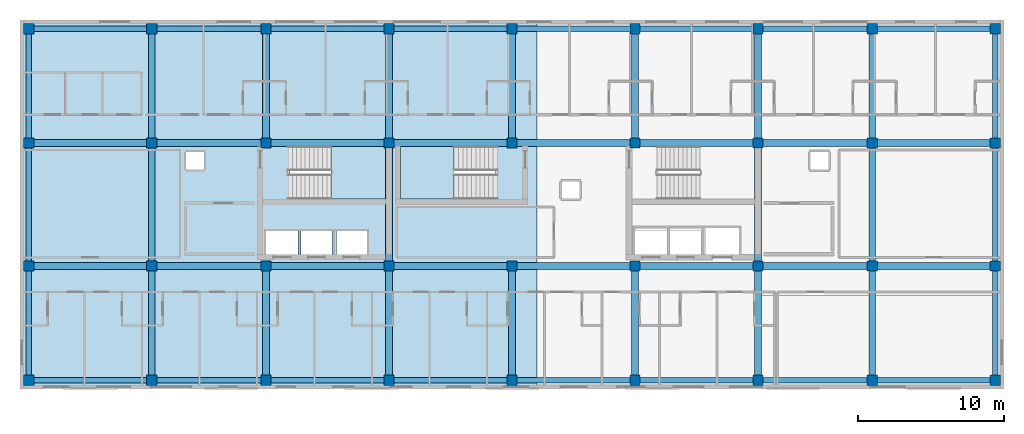
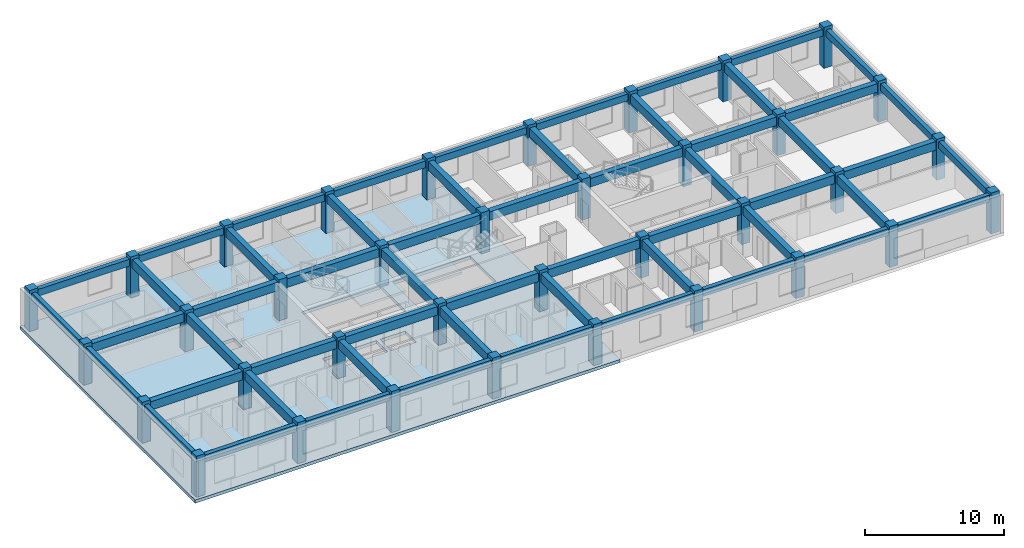
# One storey, part 1 of 10: 56 beams, 36 columns, 3 slabs, 2 elements without a shape of their own.
"""IFC4 building model written with IfcOpenShell, lengths in metres."""

from ifc_helpers import new_model, si_unit, direction, frame, origin, origin_2d, place, context, subcontext, project, spatial, polyline, rectangle, outline, extrude, material, layer, layer_set, material_profile, profile_set, type_object, element, aggregate, save


model = new_model("IFC4")

# Units and contexts
model_context = context("Model", 3, precision=1e-05, world=origin(), true_north=direction((0.0, 1.0)))
body_context = subcontext(model_context, "Body", "Model", "MODEL_VIEW")
ifc_project = project(units=[si_unit("LENGTHUNIT", "METRE"), si_unit("AREAUNIT", "SQUARE_METRE"), si_unit("VOLUMEUNIT", "CUBIC_METRE"), si_unit("PLANEANGLEUNIT", "RADIAN"), si_unit("MASSUNIT", "GRAM", prefix="KILO")], contexts=[model_context])

# Site, building, storey
site_placement = place(None, origin())
site = spatial("IfcSite", under=ifc_project, at=site_placement, CompositionType="ELEMENT")
building_placement = place(site_placement, origin())
building = spatial("IfcBuilding", under=site, at=building_placement, Name="Zayran Congress Hotel", CompositionType="ELEMENT")
storey_placement = place(building_placement, frame((0.0, 0.0, 30.0)))
storey = spatial("IfcBuildingStorey", under=building, at=storey_placement, Name="L07", CompositionType="ELEMENT", Elevation=30.0)

# Columns
ifc_material_1 = material(Name="Concrete C40/50", Category="concrete")
ifc_material_profile_1 = material_profile(ifc_material_1, rectangle(XDim=0.699951171875, YDim=0.699951171875, at=origin_2d()), Name="RC 700x700")
ifc_profile_set_1 = profile_set([ifc_material_profile_1], Name="Concrete C40/50")
column_type = type_object("IfcColumnType", Name="TP-CL-03", PredefinedType="COLUMN", material=ifc_profile_set_1)
for number, where, z_axis, x_axis, name in (
    (1, (9.0, 9.39990234375, 0.0), (0.0, 0.0, 1.0), (1.0, 0.0, 0.0), "COL-V5-L07-1224"),
    (2, (9.0, 17.199951171875, 0.0), (0.0, 0.0, 1.0), (1.0, 0.0, 0.0), "COL-V5-L07-1225"),
    (3, (9.0, 25.60009765625, 0.0), (0.0, 0.0, 1.0), (1.0, 0.0, 0.0), "COL-V5-L07-1226"),
    (4, (9.0, 33.39990234375, 0.0), (0.0, 0.0, 1.0), (1.0, 0.0, 0.0), "COL-V5-L07-1227"),
    (5, (17.39990234375, 9.39990234375, 0.0), (0.0, 0.0, 1.0), (1.0, 0.0, 0.0), "COL-V5-L07-1228"),
    (6, (17.39990234375, 17.199951171875, 0.0), (0.0, 0.0, 1.0), (1.0, 0.0, 0.0), "COL-V5-L07-1229"),
    (7, (17.39990234375, 25.60009765625, 0.0), (0.0, 0.0, 1.0), (1.0, 0.0, 0.0), "COL-V5-L07-1230"),
    (8, (17.39990234375, 33.39990234375, 0.0), (0.0, 0.0, 1.0), (1.0, 0.0, 0.0), "COL-V5-L07-1231"),
    (9, (25.199951171875, 9.39990234375, 0.0), (0.0, 0.0, 1.0), (1.0, 0.0, 0.0), "COL-V5-L07-1232"),
    (10, (25.199951171875, 17.199951171875, 0.0), (0.0, 0.0, 1.0), (1.0, 0.0, 0.0), "COL-V5-L07-1233"),
    (11, (25.199951171875, 25.60009765625, 0.0), (0.0, 0.0, 1.0), (1.0, 0.0, 0.0), "COL-V5-L07-1234"),
    (12, (25.199951171875, 33.39990234375, 0.0), (0.0, 0.0, 1.0), (1.0, 0.0, 0.0), "COL-V5-L07-1235"),
    (13, (33.60009765625, 9.39990234375, 0.0), (0.0, 0.0, 1.0), (1.0, 0.0, 0.0), "COL-V5-L07-1236"),
    (14, (33.60009765625, 17.199951171875, 0.0), (0.0, 0.0, 1.0), (1.0, 0.0, 0.0), "COL-V5-L07-1237"),
    (15, (33.60009765625, 25.60009765625, 0.0), (0.0, 0.0, 1.0), (1.0, 0.0, 0.0), "COL-V5-L07-1238"),
    (16, (33.60009765625, 33.39990234375, 0.0), (0.0, 0.0, 1.0), (1.0, 0.0, 0.0), "COL-V5-L07-1239"),
    (17, (42.0, 9.39990234375, 0.0), (0.0, 0.0, 1.0), (1.0, 0.0, 0.0), "COL-V5-L07-1240"),
    (18, (42.0, 17.199951171875, 0.0), (0.0, 0.0, 1.0), (1.0, 0.0, 0.0), "COL-V5-L07-1241"),
    (19, (42.0, 25.60009765625, 0.0), (0.0, 0.0, 1.0), (1.0, 0.0, 0.0), "COL-V5-L07-1242"),
    (20, (42.0, 33.39990234375, 0.0), (0.0, 0.0, 1.0), (1.0, 0.0, 0.0), "COL-V5-L07-1243"),
    (21, (50.39990234375, 9.39990234375, 0.0), (0.0, 0.0, 1.0), (1.0, 0.0, 0.0), "COL-V5-L07-1244"),
    (22, (50.39990234375, 17.199951171875, 0.0), (0.0, 0.0, 1.0), (1.0, 0.0, 0.0), "COL-V5-L07-1245"),
    (23, (50.39990234375, 25.60009765625, 0.0), (0.0, 0.0, 1.0), (1.0, 0.0, 0.0), "COL-V5-L07-1246"),
    (24, (50.39990234375, 33.39990234375, 0.0), (0.0, 0.0, 1.0), (1.0, 0.0, 0.0), "COL-V5-L07-1247"),
    (25, (58.800048828125, 9.39990234375, 0.0), (0.0, 0.0, 1.0), (1.0, 0.0, 0.0), "COL-V5-L07-1248"),
    (26, (58.800048828125, 17.199951171875, 0.0), (0.0, 0.0, 1.0), (1.0, 0.0, 0.0), "COL-V5-L07-1249"),
    (27, (58.800048828125, 25.60009765625, 0.0), (0.0, 0.0, 1.0), (1.0, 0.0, 0.0), "COL-V5-L07-1250"),
    (28, (58.800048828125, 33.39990234375, 0.0), (0.0, 0.0, 1.0), (1.0, 0.0, 0.0), "COL-V5-L07-1251"),
    (29, (66.60009765625, 9.39990234375, 0.0), (0.0, 0.0, 1.0), (1.0, 0.0, 0.0), "COL-V5-L07-1252"),
    (30, (66.60009765625, 17.199951171875, 0.0), (0.0, 0.0, 1.0), (1.0, 0.0, 0.0), "COL-V5-L07-1253"),
    (31, (66.60009765625, 25.60009765625, 0.0), (0.0, 0.0, 1.0), (1.0, 0.0, 0.0), "COL-V5-L07-1254"),
    (32, (66.60009765625, 33.39990234375, 0.0), (0.0, 0.0, 1.0), (1.0, 0.0, 0.0), "COL-V5-L07-1255"),
    (33, (75.0, 9.39990234375, 0.0), (0.0, 0.0, 1.0), (1.0, 0.0, 0.0), "COL-V5-L07-1256"),
    (34, (75.0, 17.199951171875, 0.0), (0.0, 0.0, 1.0), (1.0, 0.0, 0.0), "COL-V5-L07-1257"),
    (35, (75.0, 25.60009765625, 0.0), (0.0, 0.0, 1.0), (1.0, 0.0, 0.0), "COL-V5-L07-1258"),
    (36, (75.0, 33.39990234375, 0.0), (0.0, 0.0, 1.0), (1.0, 0.0, 0.0), "COL-V5-L07-1259"),
):
    element("IfcColumn", number, at=place(storey_placement, frame(where, z_axis=z_axis, x_axis=x_axis)), inside=storey, type_object=column_type, Name=name, PredefinedType="COLUMN", context=body_context, shape_type="SweptSolid", body=[
        extrude(rectangle(XDim=0.699951171875, YDim=0.699951171875, at=origin_2d()), origin(), (0.0, 0.0, 1.0), 3.60009765625),
    ])

# Beams
ifc_material_profile_2 = material_profile(ifc_material_1, rectangle(XDim=0.449951171875, YDim=0.75, at=origin_2d()), Name="RC 450x750")
ifc_profile_set_2 = profile_set([ifc_material_profile_2], Name="Concrete C40/50")
beam_type_1 = type_object("IfcBeamType", Name="TP-BM-02", PredefinedType="BEAM", material=ifc_profile_set_2)
beam_1_placement = place(storey_placement, frame((9.0, 17.199951171875, 2.945068359375), z_axis=(1.0, 0.0, 0.0), x_axis=(0.0, 1.0, 0.0)))
element("IfcBeam", 37, at=beam_1_placement, inside=storey, type_object=beam_type_1, Name="BM-V5-L07-2166", PredefinedType="BEAM", context=body_context, shape_type="SweptSolid", body=[
    extrude(rectangle(XDim=0.449951171875, YDim=0.75, at=origin_2d()), origin(), (0.0, 0.0, 1.0), 8.39990234375),
])
beam_2_placement = place(storey_placement, frame((17.39990234375, 17.199951171875, 2.965087890625), z_axis=(1.0, 0.0, 0.0), x_axis=(0.0, 1.0, 0.0)))
element("IfcBeam", 38, at=beam_2_placement, inside=storey, type_object=beam_type_1, Name="BM-V5-L07-2167", PredefinedType="BEAM", context=body_context, shape_type="SweptSolid", body=[
    extrude(rectangle(XDim=0.449951171875, YDim=0.75, at=origin_2d()), origin(), (0.0, 0.0, 1.0), 7.800048828125),
])
beam_3_placement = place(storey_placement, frame((25.199951171875, 17.199951171875, 2.965087890625), z_axis=(1.0, 0.0, 0.0), x_axis=(0.0, 1.0, 0.0)))
element("IfcBeam", 39, at=beam_3_placement, inside=storey, type_object=beam_type_1, Name="BM-V5-L07-2168", PredefinedType="BEAM", context=body_context, shape_type="SweptSolid", body=[
    extrude(rectangle(XDim=0.449951171875, YDim=0.75, at=origin_2d()), origin(), (0.0, 0.0, 1.0), 8.400146484375),
])
for number, where, z_axis, x_axis, name in (
    (40, (33.60009765625, 17.199951171875, 2.965087890625), (1.0, 0.0, 0.0), (0.0, 1.0, 0.0), "BM-V5-L07-2169"),
    (41, (42.0, 17.199951171875, 2.965087890625), (1.0, 0.0, 0.0), (0.0, 1.0, 0.0), "BM-V5-L07-2170"),
):
    element("IfcBeam", number, at=place(storey_placement, frame(where, z_axis=z_axis, x_axis=x_axis)), inside=storey, type_object=beam_type_1, Name=name, PredefinedType="BEAM", context=body_context, shape_type="SweptSolid", body=[
        extrude(rectangle(XDim=0.449951171875, YDim=0.75, at=origin_2d()), origin(), (0.0, 0.0, 1.0), 8.39990234375),
    ])
beam_4_placement = place(storey_placement, frame((50.39990234375, 17.199951171875, 2.965087890625), z_axis=(1.0, 0.0, 0.0), x_axis=(0.0, 1.0, 0.0)))
element("IfcBeam", 42, at=beam_4_placement, inside=storey, type_object=beam_type_1, Name="BM-V5-L07-2171", PredefinedType="BEAM", context=body_context, shape_type="SweptSolid", body=[
    extrude(rectangle(XDim=0.449951171875, YDim=0.75, at=origin_2d()), origin(), (0.0, 0.0, 1.0), 8.400146484375),
])
beam_5_placement = place(storey_placement, frame((58.800048828125, 17.199951171875, 2.965087890625), z_axis=(1.0, 0.0, 0.0), x_axis=(0.0, 1.0, 0.0)))
element("IfcBeam", 43, at=beam_5_placement, inside=storey, type_object=beam_type_1, Name="BM-V5-L07-2172", PredefinedType="BEAM", context=body_context, shape_type="SweptSolid", body=[
    extrude(rectangle(XDim=0.449951171875, YDim=0.75, at=origin_2d()), origin(), (0.0, 0.0, 1.0), 7.800048828125),
])
for number, where, z_axis, x_axis, name in (
    (44, (66.60009765625, 17.199951171875, 2.965087890625), (1.0, 0.0, 0.0), (0.0, 1.0, 0.0), "BM-V5-L07-2173"),
    (45, (9.0, 25.60009765625, 2.945068359375), (1.0, 0.0, 0.0), (0.0, 1.0, 0.0), "BM-V5-L07-2174"),
):
    element("IfcBeam", number, at=place(storey_placement, frame(where, z_axis=z_axis, x_axis=x_axis)), inside=storey, type_object=beam_type_1, Name=name, PredefinedType="BEAM", context=body_context, shape_type="SweptSolid", body=[
        extrude(rectangle(XDim=0.449951171875, YDim=0.75, at=origin_2d()), origin(), (0.0, 0.0, 1.0), 8.39990234375),
    ])
beam_6_placement = place(storey_placement, frame((17.39990234375, 25.60009765625, 2.965087890625), z_axis=(1.0, 0.0, 0.0), x_axis=(0.0, 1.0, 0.0)))
element("IfcBeam", 46, at=beam_6_placement, inside=storey, type_object=beam_type_1, Name="BM-V5-L07-2175", PredefinedType="BEAM", context=body_context, shape_type="SweptSolid", body=[
    extrude(rectangle(XDim=0.449951171875, YDim=0.75, at=origin_2d()), origin(), (0.0, 0.0, 1.0), 7.800048828125),
])
beam_7_placement = place(storey_placement, frame((25.199951171875, 25.60009765625, 2.965087890625), z_axis=(1.0, 0.0, 0.0), x_axis=(0.0, 1.0, 0.0)))
element("IfcBeam", 47, at=beam_7_placement, inside=storey, type_object=beam_type_1, Name="BM-V5-L07-2176", PredefinedType="BEAM", context=body_context, shape_type="SweptSolid", body=[
    extrude(rectangle(XDim=0.449951171875, YDim=0.75, at=origin_2d()), origin(), (0.0, 0.0, 1.0), 8.400146484375),
])
for number, where, z_axis, x_axis, name in (
    (48, (33.60009765625, 25.60009765625, 2.965087890625), (1.0, 0.0, 0.0), (0.0, 1.0, 0.0), "BM-V5-L07-2177"),
    (49, (42.0, 25.60009765625, 2.965087890625), (1.0, 0.0, 0.0), (0.0, 1.0, 0.0), "BM-V5-L07-2178"),
):
    element("IfcBeam", number, at=place(storey_placement, frame(where, z_axis=z_axis, x_axis=x_axis)), inside=storey, type_object=beam_type_1, Name=name, PredefinedType="BEAM", context=body_context, shape_type="SweptSolid", body=[
        extrude(rectangle(XDim=0.449951171875, YDim=0.75, at=origin_2d()), origin(), (0.0, 0.0, 1.0), 8.39990234375),
    ])
beam_8_placement = place(storey_placement, frame((50.39990234375, 25.60009765625, 2.965087890625), z_axis=(1.0, 0.0, 0.0), x_axis=(0.0, 1.0, 0.0)))
element("IfcBeam", 50, at=beam_8_placement, inside=storey, type_object=beam_type_1, Name="BM-V5-L07-2179", PredefinedType="BEAM", context=body_context, shape_type="SweptSolid", body=[
    extrude(rectangle(XDim=0.449951171875, YDim=0.75, at=origin_2d()), origin(), (0.0, 0.0, 1.0), 8.400146484375),
])
beam_9_placement = place(storey_placement, frame((58.800048828125, 25.60009765625, 2.965087890625), z_axis=(1.0, 0.0, 0.0), x_axis=(0.0, 1.0, 0.0)))
element("IfcBeam", 51, at=beam_9_placement, inside=storey, type_object=beam_type_1, Name="BM-V5-L07-2180", PredefinedType="BEAM", context=body_context, shape_type="SweptSolid", body=[
    extrude(rectangle(XDim=0.449951171875, YDim=0.75, at=origin_2d()), origin(), (0.0, 0.0, 1.0), 7.800048828125),
])
beam_10_placement = place(storey_placement, frame((66.60009765625, 25.60009765625, 2.965087890625), z_axis=(1.0, 0.0, 0.0), x_axis=(0.0, 1.0, 0.0)))
element("IfcBeam", 52, at=beam_10_placement, inside=storey, type_object=beam_type_1, Name="BM-V5-L07-2181", PredefinedType="BEAM", context=body_context, shape_type="SweptSolid", body=[
    extrude(rectangle(XDim=0.449951171875, YDim=0.75, at=origin_2d()), origin(), (0.0, 0.0, 1.0), 8.39990234375),
])
beam_11_placement = place(storey_placement, frame((17.39990234375, 9.39990234375, 2.965087890625), z_axis=(0.0, 1.0, 0.0), x_axis=(-1.0, 0.0, 0.0)))
element("IfcBeam", 53, at=beam_11_placement, inside=storey, type_object=beam_type_1, Name="BM-V5-L07-2193", PredefinedType="BEAM", context=body_context, shape_type="SweptSolid", body=[
    extrude(rectangle(XDim=0.449951171875, YDim=0.75, at=origin_2d()), origin(), (0.0, 0.0, 1.0), 7.800048828125),
])
beam_12_placement = place(storey_placement, frame((17.39990234375, 17.199951171875, 2.965087890625), z_axis=(0.0, 1.0, 0.0), x_axis=(-1.0, 0.0, 0.0)))
element("IfcBeam", 54, at=beam_12_placement, inside=storey, type_object=beam_type_1, Name="BM-V5-L07-2194", PredefinedType="BEAM", context=body_context, shape_type="SweptSolid", body=[
    extrude(rectangle(XDim=0.449951171875, YDim=0.75, at=origin_2d()), origin(), (0.0, 0.0, 1.0), 8.400146484375),
])
beam_13_placement = place(storey_placement, frame((17.39990234375, 25.60009765625, 2.965087890625), z_axis=(0.0, 1.0, 0.0), x_axis=(-1.0, 0.0, 0.0)))
element("IfcBeam", 55, at=beam_13_placement, inside=storey, type_object=beam_type_1, Name="BM-V5-L07-2195", PredefinedType="BEAM", context=body_context, shape_type="SweptSolid", body=[
    extrude(rectangle(XDim=0.449951171875, YDim=0.75, at=origin_2d()), origin(), (0.0, 0.0, 1.0), 7.7998046875),
])
beam_14_placement = place(storey_placement, frame((25.199951171875, 9.39990234375, 2.965087890625), z_axis=(0.0, 1.0, 0.0), x_axis=(-1.0, 0.0, 0.0)))
element("IfcBeam", 56, at=beam_14_placement, inside=storey, type_object=beam_type_1, Name="BM-V5-L07-2196", PredefinedType="BEAM", context=body_context, shape_type="SweptSolid", body=[
    extrude(rectangle(XDim=0.449951171875, YDim=0.75, at=origin_2d()), origin(), (0.0, 0.0, 1.0), 7.800048828125),
])
beam_15_placement = place(storey_placement, frame((25.199951171875, 25.60009765625, 2.965087890625), z_axis=(0.0, 1.0, 0.0), x_axis=(-1.0, 0.0, 0.0)))
element("IfcBeam", 57, at=beam_15_placement, inside=storey, type_object=beam_type_1, Name="BM-V5-L07-2197", PredefinedType="BEAM", context=body_context, shape_type="SweptSolid", body=[
    extrude(rectangle(XDim=0.449951171875, YDim=0.75, at=origin_2d()), origin(), (0.0, 0.0, 1.0), 7.7998046875),
])
beam_16_placement = place(storey_placement, frame((33.60009765625, 9.39990234375, 2.965087890625), z_axis=(0.0, 1.0, 0.0), x_axis=(-1.0, 0.0, 0.0)))
element("IfcBeam", 58, at=beam_16_placement, inside=storey, type_object=beam_type_1, Name="BM-V5-L07-2198", PredefinedType="BEAM", context=body_context, shape_type="SweptSolid", body=[
    extrude(rectangle(XDim=0.449951171875, YDim=0.75, at=origin_2d()), origin(), (0.0, 0.0, 1.0), 7.800048828125),
])
beam_17_placement = place(storey_placement, frame((33.60009765625, 17.199951171875, 2.965087890625), z_axis=(0.0, 1.0, 0.0), x_axis=(-1.0, 0.0, 0.0)))
element("IfcBeam", 59, at=beam_17_placement, inside=storey, type_object=beam_type_1, Name="BM-V5-L07-2199", PredefinedType="BEAM", context=body_context, shape_type="SweptSolid", body=[
    extrude(rectangle(XDim=0.449951171875, YDim=0.75, at=origin_2d()), origin(), (0.0, 0.0, 1.0), 8.400146484375),
])
beam_18_placement = place(storey_placement, frame((33.60009765625, 25.60009765625, 2.965087890625), z_axis=(0.0, 1.0, 0.0), x_axis=(-1.0, 0.0, 0.0)))
element("IfcBeam", 60, at=beam_18_placement, inside=storey, type_object=beam_type_1, Name="BM-V5-L07-2200", PredefinedType="BEAM", context=body_context, shape_type="SweptSolid", body=[
    extrude(rectangle(XDim=0.449951171875, YDim=0.75, at=origin_2d()), origin(), (0.0, 0.0, 1.0), 7.7998046875),
])
beam_19_placement = place(storey_placement, frame((42.0, 9.39990234375, 2.965087890625), z_axis=(0.0, 1.0, 0.0), x_axis=(-1.0, 0.0, 0.0)))
element("IfcBeam", 61, at=beam_19_placement, inside=storey, type_object=beam_type_1, Name="BM-V5-L07-2201", PredefinedType="BEAM", context=body_context, shape_type="SweptSolid", body=[
    extrude(rectangle(XDim=0.449951171875, YDim=0.75, at=origin_2d()), origin(), (0.0, 0.0, 1.0), 7.800048828125),
])
beam_20_placement = place(storey_placement, frame((42.0, 25.60009765625, 2.965087890625), z_axis=(0.0, 1.0, 0.0), x_axis=(-1.0, 0.0, 0.0)))
element("IfcBeam", 62, at=beam_20_placement, inside=storey, type_object=beam_type_1, Name="BM-V5-L07-2203", PredefinedType="BEAM", context=body_context, shape_type="SweptSolid", body=[
    extrude(rectangle(XDim=0.449951171875, YDim=0.75, at=origin_2d()), origin(), (0.0, 0.0, 1.0), 7.7998046875),
])
beam_21_placement = place(storey_placement, frame((50.39990234375, 9.39990234375, 2.965087890625), z_axis=(0.0, 1.0, 0.0), x_axis=(-1.0, 0.0, 0.0)))
element("IfcBeam", 63, at=beam_21_placement, inside=storey, type_object=beam_type_1, Name="BM-V5-L07-2204", PredefinedType="BEAM", context=body_context, shape_type="SweptSolid", body=[
    extrude(rectangle(XDim=0.449951171875, YDim=0.75, at=origin_2d()), origin(), (0.0, 0.0, 1.0), 7.800048828125),
])
beam_22_placement = place(storey_placement, frame((50.39990234375, 25.60009765625, 2.965087890625), z_axis=(0.0, 1.0, 0.0), x_axis=(-1.0, 0.0, 0.0)))
element("IfcBeam", 64, at=beam_22_placement, inside=storey, type_object=beam_type_1, Name="BM-V5-L07-2205", PredefinedType="BEAM", context=body_context, shape_type="SweptSolid", body=[
    extrude(rectangle(XDim=0.449951171875, YDim=0.75, at=origin_2d()), origin(), (0.0, 0.0, 1.0), 7.7998046875),
])
beam_23_placement = place(storey_placement, frame((58.800048828125, 9.39990234375, 2.965087890625), z_axis=(0.0, 1.0, 0.0), x_axis=(-1.0, 0.0, 0.0)))
element("IfcBeam", 65, at=beam_23_placement, inside=storey, type_object=beam_type_1, Name="BM-V5-L07-2206", PredefinedType="BEAM", context=body_context, shape_type="SweptSolid", body=[
    extrude(rectangle(XDim=0.449951171875, YDim=0.75, at=origin_2d()), origin(), (0.0, 0.0, 1.0), 7.800048828125),
])
beam_24_placement = place(storey_placement, frame((58.800048828125, 17.199951171875, 2.965087890625), z_axis=(0.0, 1.0, 0.0), x_axis=(-1.0, 0.0, 0.0)))
element("IfcBeam", 66, at=beam_24_placement, inside=storey, type_object=beam_type_1, Name="BM-V5-L07-2207", PredefinedType="BEAM", context=body_context, shape_type="SweptSolid", body=[
    extrude(rectangle(XDim=0.449951171875, YDim=0.75, at=origin_2d()), origin(), (0.0, 0.0, 1.0), 8.400146484375),
])
beam_25_placement = place(storey_placement, frame((58.800048828125, 25.60009765625, 2.965087890625), z_axis=(0.0, 1.0, 0.0), x_axis=(-1.0, 0.0, 0.0)))
element("IfcBeam", 67, at=beam_25_placement, inside=storey, type_object=beam_type_1, Name="BM-V5-L07-2208", PredefinedType="BEAM", context=body_context, shape_type="SweptSolid", body=[
    extrude(rectangle(XDim=0.449951171875, YDim=0.75, at=origin_2d()), origin(), (0.0, 0.0, 1.0), 7.7998046875),
])
beam_26_placement = place(storey_placement, frame((66.60009765625, 9.39990234375, 2.965087890625), z_axis=(0.0, 1.0, 0.0), x_axis=(-1.0, 0.0, 0.0)))
element("IfcBeam", 68, at=beam_26_placement, inside=storey, type_object=beam_type_1, Name="BM-V5-L07-2209", PredefinedType="BEAM", context=body_context, shape_type="SweptSolid", body=[
    extrude(rectangle(XDim=0.449951171875, YDim=0.75, at=origin_2d()), origin(), (0.0, 0.0, 1.0), 7.800048828125),
])
beam_27_placement = place(storey_placement, frame((66.60009765625, 17.199951171875, 2.965087890625), z_axis=(0.0, 1.0, 0.0), x_axis=(-1.0, 0.0, 0.0)))
element("IfcBeam", 69, at=beam_27_placement, inside=storey, type_object=beam_type_1, Name="BM-V5-L07-2210", PredefinedType="BEAM", context=body_context, shape_type="SweptSolid", body=[
    extrude(rectangle(XDim=0.449951171875, YDim=0.75, at=origin_2d()), origin(), (0.0, 0.0, 1.0), 8.400146484375),
])
beam_28_placement = place(storey_placement, frame((66.60009765625, 25.60009765625, 2.965087890625), z_axis=(0.0, 1.0, 0.0), x_axis=(-1.0, 0.0, 0.0)))
element("IfcBeam", 70, at=beam_28_placement, inside=storey, type_object=beam_type_1, Name="BM-V5-L07-2211", PredefinedType="BEAM", context=body_context, shape_type="SweptSolid", body=[
    extrude(rectangle(XDim=0.449951171875, YDim=0.75, at=origin_2d()), origin(), (0.0, 0.0, 1.0), 7.7998046875),
])
ifc_material_profile_3 = material_profile(ifc_material_1, rectangle(XDim=0.35009765625, YDim=0.60009765625, at=origin_2d()), Name="RC 350x600")
ifc_profile_set_3 = profile_set([ifc_material_profile_3], Name="Concrete C40/50")
beam_type_2 = type_object("IfcBeamType", Name="TP-SP-01", PredefinedType="SPANDREL", material=ifc_profile_set_3)
beam_29_placement = place(storey_placement, frame((9.0, 9.39990234375, 3.02001953125), z_axis=(1.0, 0.0, 0.0), x_axis=(0.0, 1.0, 0.0)))
element("IfcBeam", 71, at=beam_29_placement, inside=storey, type_object=beam_type_2, Name="BM-V5-L07-2158", PredefinedType="SPANDREL", context=body_context, shape_type="SweptSolid", body=[
    extrude(rectangle(XDim=0.35009765625, YDim=0.60009765625, at=origin_2d()), origin(), (0.0, 0.0, 1.0), 8.39990234375),
])
beam_30_placement = place(storey_placement, frame((17.39990234375, 9.39990234375, 3.0400390625), z_axis=(1.0, 0.0, 0.0), x_axis=(0.0, 1.0, 0.0)))
element("IfcBeam", 72, at=beam_30_placement, inside=storey, type_object=beam_type_2, Name="BM-V5-L07-2159", PredefinedType="SPANDREL", context=body_context, shape_type="SweptSolid", body=[
    extrude(rectangle(XDim=0.35009765625, YDim=0.60009765625, at=origin_2d()), origin(), (0.0, 0.0, 1.0), 7.800048828125),
])
beam_31_placement = place(storey_placement, frame((25.199951171875, 9.39990234375, 3.0400390625), z_axis=(1.0, 0.0, 0.0), x_axis=(0.0, 1.0, 0.0)))
element("IfcBeam", 73, at=beam_31_placement, inside=storey, type_object=beam_type_2, Name="BM-V5-L07-2160", PredefinedType="SPANDREL", context=body_context, shape_type="SweptSolid", body=[
    extrude(rectangle(XDim=0.35009765625, YDim=0.60009765625, at=origin_2d()), origin(), (0.0, 0.0, 1.0), 8.400146484375),
])
for number, where, z_axis, x_axis, name in (
    (74, (33.60009765625, 9.39990234375, 3.0400390625), (1.0, 0.0, 0.0), (0.0, 1.0, 0.0), "BM-V5-L07-2161"),
    (75, (42.0, 9.39990234375, 3.0400390625), (1.0, 0.0, 0.0), (0.0, 1.0, 0.0), "BM-V5-L07-2162"),
):
    element("IfcBeam", number, at=place(storey_placement, frame(where, z_axis=z_axis, x_axis=x_axis)), inside=storey, type_object=beam_type_2, Name=name, PredefinedType="SPANDREL", context=body_context, shape_type="SweptSolid", body=[
        extrude(rectangle(XDim=0.35009765625, YDim=0.60009765625, at=origin_2d()), origin(), (0.0, 0.0, 1.0), 8.39990234375),
    ])
beam_32_placement = place(storey_placement, frame((50.39990234375, 9.39990234375, 3.0400390625), z_axis=(1.0, 0.0, 0.0), x_axis=(0.0, 1.0, 0.0)))
element("IfcBeam", 76, at=beam_32_placement, inside=storey, type_object=beam_type_2, Name="BM-V5-L07-2163", PredefinedType="SPANDREL", context=body_context, shape_type="SweptSolid", body=[
    extrude(rectangle(XDim=0.35009765625, YDim=0.60009765625, at=origin_2d()), origin(), (0.0, 0.0, 1.0), 8.400146484375),
])
beam_33_placement = place(storey_placement, frame((58.800048828125, 9.39990234375, 3.0400390625), z_axis=(1.0, 0.0, 0.0), x_axis=(0.0, 1.0, 0.0)))
element("IfcBeam", 77, at=beam_33_placement, inside=storey, type_object=beam_type_2, Name="BM-V5-L07-2164", PredefinedType="SPANDREL", context=body_context, shape_type="SweptSolid", body=[
    extrude(rectangle(XDim=0.35009765625, YDim=0.60009765625, at=origin_2d()), origin(), (0.0, 0.0, 1.0), 7.800048828125),
])
for number, where, z_axis, x_axis, name in (
    (78, (66.60009765625, 9.39990234375, 3.0400390625), (1.0, 0.0, 0.0), (0.0, 1.0, 0.0), "BM-V5-L07-2165"),
    (79, (9.0, 33.39990234375, 3.02001953125), (1.0, 0.0, 0.0), (0.0, 1.0, 0.0), "BM-V5-L07-2182"),
):
    element("IfcBeam", number, at=place(storey_placement, frame(where, z_axis=z_axis, x_axis=x_axis)), inside=storey, type_object=beam_type_2, Name=name, PredefinedType="SPANDREL", context=body_context, shape_type="SweptSolid", body=[
        extrude(rectangle(XDim=0.35009765625, YDim=0.60009765625, at=origin_2d()), origin(), (0.0, 0.0, 1.0), 8.39990234375),
    ])
beam_34_placement = place(storey_placement, frame((17.39990234375, 33.39990234375, 3.0400390625), z_axis=(1.0, 0.0, 0.0), x_axis=(0.0, 1.0, 0.0)))
element("IfcBeam", 80, at=beam_34_placement, inside=storey, type_object=beam_type_2, Name="BM-V5-L07-2183", PredefinedType="SPANDREL", context=body_context, shape_type="SweptSolid", body=[
    extrude(rectangle(XDim=0.35009765625, YDim=0.60009765625, at=origin_2d()), origin(), (0.0, 0.0, 1.0), 7.800048828125),
])
beam_35_placement = place(storey_placement, frame((25.199951171875, 33.39990234375, 3.0400390625), z_axis=(1.0, 0.0, 0.0), x_axis=(0.0, 1.0, 0.0)))
element("IfcBeam", 81, at=beam_35_placement, inside=storey, type_object=beam_type_2, Name="BM-V5-L07-2184", PredefinedType="SPANDREL", context=body_context, shape_type="SweptSolid", body=[
    extrude(rectangle(XDim=0.35009765625, YDim=0.60009765625, at=origin_2d()), origin(), (0.0, 0.0, 1.0), 8.400146484375),
])
for number, where, z_axis, x_axis, name in (
    (82, (33.60009765625, 33.39990234375, 3.0400390625), (1.0, 0.0, 0.0), (0.0, 1.0, 0.0), "BM-V5-L07-2185"),
    (83, (42.0, 33.39990234375, 3.0400390625), (1.0, 0.0, 0.0), (0.0, 1.0, 0.0), "BM-V5-L07-2186"),
):
    element("IfcBeam", number, at=place(storey_placement, frame(where, z_axis=z_axis, x_axis=x_axis)), inside=storey, type_object=beam_type_2, Name=name, PredefinedType="SPANDREL", context=body_context, shape_type="SweptSolid", body=[
        extrude(rectangle(XDim=0.35009765625, YDim=0.60009765625, at=origin_2d()), origin(), (0.0, 0.0, 1.0), 8.39990234375),
    ])
beam_36_placement = place(storey_placement, frame((50.39990234375, 33.39990234375, 3.0400390625), z_axis=(1.0, 0.0, 0.0), x_axis=(0.0, 1.0, 0.0)))
element("IfcBeam", 84, at=beam_36_placement, inside=storey, type_object=beam_type_2, Name="BM-V5-L07-2187", PredefinedType="SPANDREL", context=body_context, shape_type="SweptSolid", body=[
    extrude(rectangle(XDim=0.35009765625, YDim=0.60009765625, at=origin_2d()), origin(), (0.0, 0.0, 1.0), 8.400146484375),
])
beam_37_placement = place(storey_placement, frame((58.800048828125, 33.39990234375, 3.0400390625), z_axis=(1.0, 0.0, 0.0), x_axis=(0.0, 1.0, 0.0)))
element("IfcBeam", 85, at=beam_37_placement, inside=storey, type_object=beam_type_2, Name="BM-V5-L07-2188", PredefinedType="SPANDREL", context=body_context, shape_type="SweptSolid", body=[
    extrude(rectangle(XDim=0.35009765625, YDim=0.60009765625, at=origin_2d()), origin(), (0.0, 0.0, 1.0), 7.800048828125),
])
beam_38_placement = place(storey_placement, frame((66.60009765625, 33.39990234375, 3.0400390625), z_axis=(1.0, 0.0, 0.0), x_axis=(0.0, 1.0, 0.0)))
element("IfcBeam", 86, at=beam_38_placement, inside=storey, type_object=beam_type_2, Name="BM-V5-L07-2189", PredefinedType="SPANDREL", context=body_context, shape_type="SweptSolid", body=[
    extrude(rectangle(XDim=0.35009765625, YDim=0.60009765625, at=origin_2d()), origin(), (0.0, 0.0, 1.0), 8.39990234375),
])
beam_39_placement = place(storey_placement, frame((9.0, 9.39990234375, 3.02001953125), z_axis=(0.0, 1.0, 0.0), x_axis=(-1.0, 0.0, 0.0)))
element("IfcBeam", 87, at=beam_39_placement, inside=storey, type_object=beam_type_2, Name="BM-V5-L07-2190", PredefinedType="SPANDREL", context=body_context, shape_type="SweptSolid", body=[
    extrude(rectangle(XDim=0.35009765625, YDim=0.60009765625, at=origin_2d()), origin(), (0.0, 0.0, 1.0), 7.800048828125),
])
beam_40_placement = place(storey_placement, frame((9.0, 17.199951171875, 3.02001953125), z_axis=(0.0, 1.0, 0.0), x_axis=(-1.0, 0.0, 0.0)))
element("IfcBeam", 88, at=beam_40_placement, inside=storey, type_object=beam_type_2, Name="BM-V5-L07-2191", PredefinedType="SPANDREL", context=body_context, shape_type="SweptSolid", body=[
    extrude(rectangle(XDim=0.35009765625, YDim=0.60009765625, at=origin_2d()), origin(), (0.0, 0.0, 1.0), 8.400146484375),
])
beam_41_placement = place(storey_placement, frame((9.0, 25.60009765625, 3.02001953125), z_axis=(0.0, 1.0, 0.0), x_axis=(-1.0, 0.0, 0.0)))
element("IfcBeam", 89, at=beam_41_placement, inside=storey, type_object=beam_type_2, Name="BM-V5-L07-2192", PredefinedType="SPANDREL", context=body_context, shape_type="SweptSolid", body=[
    extrude(rectangle(XDim=0.35009765625, YDim=0.60009765625, at=origin_2d()), origin(), (0.0, 0.0, 1.0), 7.7998046875),
])
beam_42_placement = place(storey_placement, frame((75.0, 9.39990234375, 3.0400390625), z_axis=(0.0, 1.0, 0.0), x_axis=(-1.0, 0.0, 0.0)))
element("IfcBeam", 90, at=beam_42_placement, inside=storey, type_object=beam_type_2, Name="BM-V5-L07-2212", PredefinedType="SPANDREL", context=body_context, shape_type="SweptSolid", body=[
    extrude(rectangle(XDim=0.35009765625, YDim=0.60009765625, at=origin_2d()), origin(), (0.0, 0.0, 1.0), 7.800048828125),
])
beam_43_placement = place(storey_placement, frame((75.0, 17.199951171875, 3.0400390625), z_axis=(0.0, 1.0, 0.0), x_axis=(-1.0, 0.0, 0.0)))
element("IfcBeam", 91, at=beam_43_placement, inside=storey, type_object=beam_type_2, Name="BM-V5-L07-2213", PredefinedType="SPANDREL", context=body_context, shape_type="SweptSolid", body=[
    extrude(rectangle(XDim=0.35009765625, YDim=0.60009765625, at=origin_2d()), origin(), (0.0, 0.0, 1.0), 8.400146484375),
])
beam_44_placement = place(storey_placement, frame((75.0, 25.60009765625, 3.0400390625), z_axis=(0.0, 1.0, 0.0), x_axis=(-1.0, 0.0, 0.0)))
element("IfcBeam", 92, at=beam_44_placement, inside=storey, type_object=beam_type_2, Name="BM-V5-L07-2214", PredefinedType="SPANDREL", context=body_context, shape_type="SweptSolid", body=[
    extrude(rectangle(XDim=0.35009765625, YDim=0.60009765625, at=origin_2d()), origin(), (0.0, 0.0, 1.0), 7.7998046875),
])

# Slab
ifc_material_2 = material(Name="Concrete C32/40", Category="concrete")
ifc_layer_1 = layer(ifc_material_2, 0.280029296875)
ifc_layer_set_1 = layer_set([ifc_layer_1], Name="Concrete C32/40")
slab_type_1 = type_object("IfcSlabType", Name="SL-FL-280", PredefinedType="FLOOR", material=ifc_layer_set_1)
slab_1_placement = place(storey_placement, frame((0.0, 0.0, -0.280029296875)))
element("IfcSlab", 93, at=slab_1_placement, inside=storey, type_object=slab_type_1, Name="SLB-V5-L07-045", PredefinedType="FLOOR", context=body_context, shape_type="SweptSolid", body=[
    extrude(outline(polyline([(8.39990234375, 8.800048828125), (43.699951171875, 8.800048828125), (43.699951171875, 34.0), (8.39990234375, 34.0), (8.39990234375, 8.800048828125)]), holes=[polyline([(26.840087890625, 21.760009765625), (33.39990234375, 21.760009765625), (33.39990234375, 25.39990234375), (26.840087890625, 25.39990234375), (26.840087890625, 21.760009765625)]), polyline([(25.199951171875, 18.0), (27.39990234375, 18.0), (27.39990234375, 19.60009765625), (25.199951171875, 19.60009765625), (25.199951171875, 18.0)]), polyline([(27.60009765625, 18.0), (29.699951171875, 18.0), (29.699951171875, 19.60009765625), (27.60009765625, 19.60009765625), (27.60009765625, 18.0)]), polyline([(30.0, 18.0), (32.10009765625, 18.0), (32.10009765625, 19.60009765625), (30.0, 19.60009765625), (30.0, 18.0)]), polyline([(34.39990234375, 21.760009765625), (40.860107421875, 21.760009765625), (40.860107421875, 25.39990234375), (34.39990234375, 25.39990234375), (34.39990234375, 21.760009765625)]), polyline([(19.739990234375, 23.800048828125), (20.9599609375, 23.800048828125), (20.9599609375, 24.97998046875), (19.739990234375, 24.97998046875), (19.739990234375, 23.800048828125)])]), origin(), (0.0, 0.0, 1.0), 0.280029296875),
])

# Stair, slab
stair_type = type_object("IfcStairType", Name="TP-STR-1700-36", PredefinedType="USERDEFINED", material=ifc_material_2)
stair_1_placement = place(storey_placement, origin())
stair_1 = element("IfcStair", 94, at=stair_1_placement, inside=storey, type_object=stair_type, Name="L07 ST-01", ObjectType="TWO_RETURN_STAIR", PredefinedType="USERDEFINED")
ifc_layer_2 = layer(ifc_material_2, 0.199951171875)
ifc_layer_set_2 = layer_set([ifc_layer_2], Name="Concrete C32/40")
slab_type_2 = type_object("IfcSlabType", Name="TP-LND-1700", PredefinedType="LANDING", material=ifc_layer_set_2)
slab_2_placement = place(storey_placement, frame((0.0, 0.0, 1.60009765625)))
slab_2 = element("IfcSlab", 95, at=slab_2_placement, type_object=slab_type_2, Name="ST-01 landing 1", PredefinedType="LANDING", context=body_context, shape_type="SweptSolid", body=[
    extrude(outline(polyline([(29.64990234375, 21.760009765625), (33.39990234375, 21.760009765625), (33.39990234375, 25.39990234375), (29.64990234375, 25.39990234375), (29.64990234375, 21.760009765625)])), origin(), (0.0, 0.0, 1.0), 0.199951171875),
])
aggregate(stair_1, [slab_2])

stair_2_placement = place(storey_placement, origin())
stair_2 = element("IfcStair", 96, at=stair_2_placement, inside=storey, type_object=stair_type, Name="L07 ST-13", ObjectType="TWO_RETURN_STAIR", PredefinedType="USERDEFINED")
slab_3_placement = place(storey_placement, frame((0.0, 0.0, 1.60009765625)))
slab_3 = element("IfcSlab", 97, at=slab_3_placement, type_object=slab_type_2, Name="ST-13 landing 1", PredefinedType="LANDING", context=body_context, shape_type="SweptSolid", body=[
    extrude(outline(polyline([(38.050048828125, 25.39990234375), (34.39990234375, 25.39990234375), (34.39990234375, 21.760009765625), (38.050048828125, 21.760009765625), (38.050048828125, 25.39990234375)])), origin(), (0.0, 0.0, 1.0), 0.199951171875),
])
aggregate(stair_2, [slab_3])

save(model, "model.ifc")
